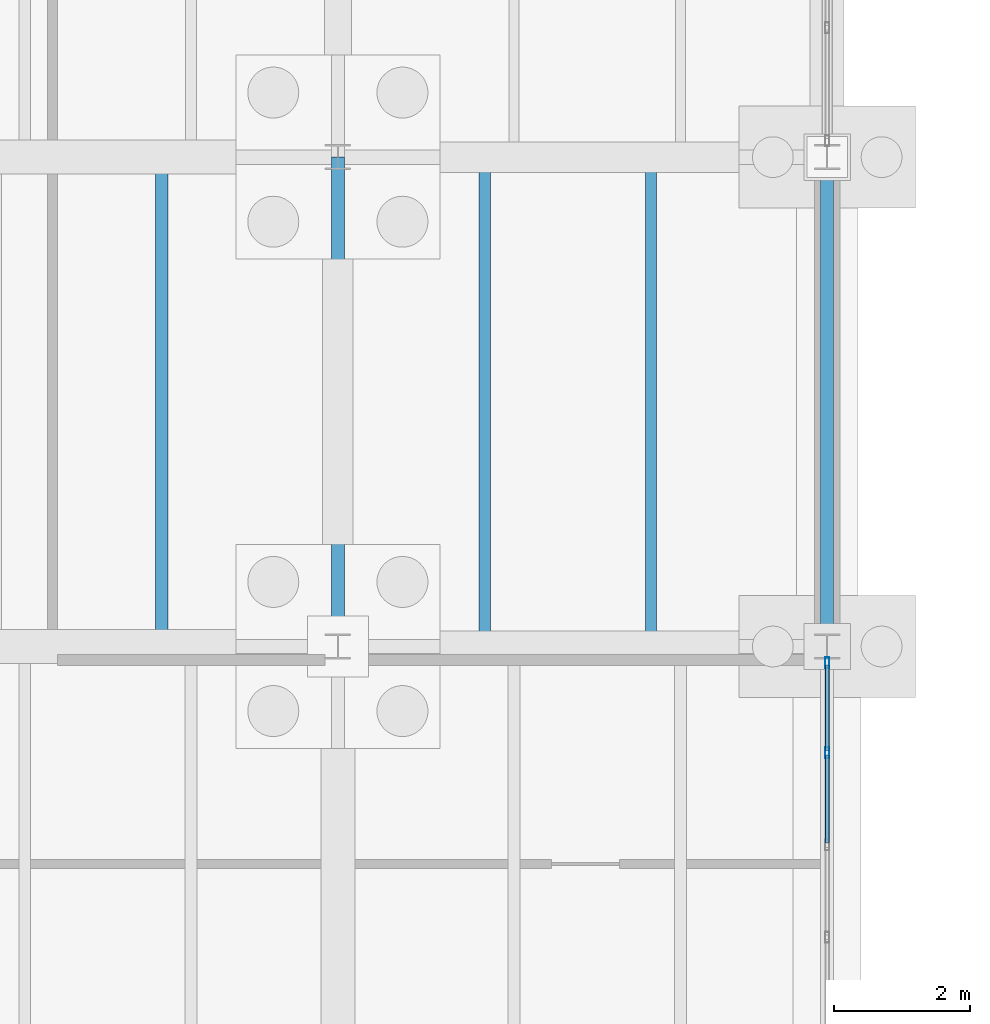
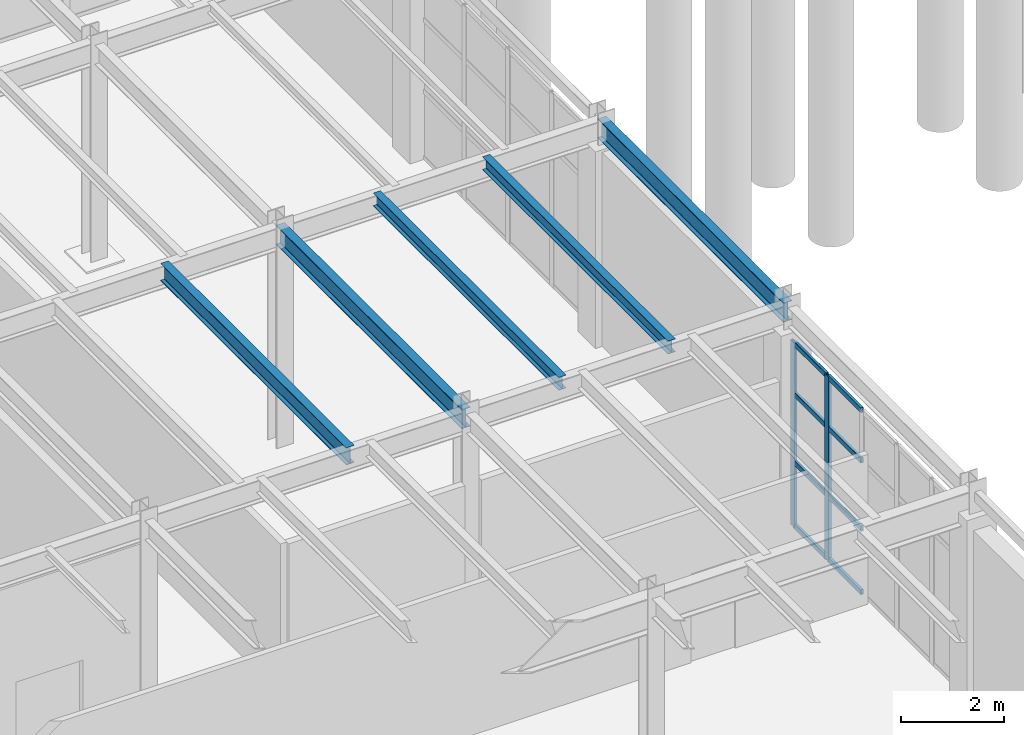
# One storey, part 70 of 293: 10 members, 5 beams, 1 element without a shape of its own.
"""IFC4 building model written with IfcOpenShell, lengths in metres."""

from ifc_helpers import new_model, si_unit, direction, frame, origin, origin_2d, place, context, subcontext, project, spatial, hollow_rectangle, i_section, extrude, material, layer, layer_set, material_profile, profile_set, type_object, element, aggregate, save


model = new_model("IFC4")

# Units and contexts
model_context = context("Model", 3, precision=1e-05, world=origin(), true_north=direction((0.0, 1.0)))
body_context = subcontext(model_context, "Body", "Model", "MODEL_VIEW")
ifc_project = project(units=[si_unit("LENGTHUNIT", "METRE"), si_unit("AREAUNIT", "SQUARE_METRE"), si_unit("VOLUMEUNIT", "CUBIC_METRE"), si_unit("PLANEANGLEUNIT", "RADIAN"), si_unit("MASSUNIT", "GRAM", prefix="KILO")], contexts=[model_context])

# Site, building, storey
site_placement = place(None, origin())
site = spatial("IfcSite", under=ifc_project, at=site_placement, CompositionType="ELEMENT")
building_placement = place(site_placement, origin())
building = spatial("IfcBuilding", under=site, at=building_placement, Name="Kemerveld Promenade Tramway Depot", CompositionType="ELEMENT")
storey_placement = place(building_placement, origin())
storey = spatial("IfcBuildingStorey", under=building, at=storey_placement, Name="L00", CompositionType="ELEMENT", Elevation=0.0)

# Beams
ifc_material_1 = material(Name="Steel S355", Category="steel")
ifc_material_profile_1 = material_profile(ifc_material_1, i_section(OverallWidth=0.19140625, OverallDepth=0.4599609375, WebThickness=0.010009765625, FlangeThickness=0.01611328125, FilletRadius=0.01025390625, at=origin_2d()), Name="457x191x82 UB")
ifc_profile_set_1 = profile_set([ifc_material_profile_1], Name="Steel S355")
beam_type_1 = type_object("IfcBeamType", Name="BM-G06", PredefinedType="BEAM", material=ifc_profile_set_1)
for number, where, z_axis, x_axis, name in (
    (1, (50.39990234375, 57.60009765625, 4.919921875), (0.0, 1.0, 0.0), (-1.0, 0.0, 0.0), "BMY-L00-08-J-K"),
    (2, (57.60009765625, 57.60009765625, 4.919921875), (0.0, 1.0, 0.0), (-1.0, 0.0, 0.0), "BMY-L00-09-J-K"),
):
    element("IfcBeam", number, at=place(storey_placement, frame(where, z_axis=z_axis, x_axis=x_axis)), inside=storey, type_object=beam_type_1, Name=name, PredefinedType="BEAM", context=body_context, shape_type="SweptSolid", body=[
        extrude(i_section(OverallWidth=0.19140625, OverallDepth=0.4599609375, WebThickness=0.010009765625, FlangeThickness=0.01611328125, FilletRadius=0.01025390625, at=origin_2d()), origin(), (0.0, 0.0, 1.0), 7.199951171875),
    ])
ifc_material_profile_2 = material_profile(ifc_material_1, i_section(OverallWidth=0.165771484375, OverallDepth=0.306640625, WebThickness=0.006591796875, FlangeThickness=0.01171875, FilletRadius=0.0087890625, at=origin_2d()), Name="305x165x46 UB")
ifc_profile_set_2 = profile_set([ifc_material_profile_2], Name="Steel S355")
beam_type_2 = type_object("IfcBeamType", Name="BM-J01", PredefinedType="JOIST", material=ifc_profile_set_2)
for number, where, z_axis, x_axis, name in (
    (3, (52.56005859375, 57.60009765625, 4.99658203125), (0.0, 1.0, 0.0), (-1.0, 0.0, 0.0), "JST-L00-08-J-1"),
    (4, (55.008056640625, 57.60009765625, 4.99658203125), (0.0, 1.0, 0.0), (-1.0, 0.0, 0.0), "JST-L00-08-J-2"),
):
    element("IfcBeam", number, at=place(storey_placement, frame(where, z_axis=z_axis, x_axis=x_axis)), inside=storey, type_object=beam_type_2, Name=name, PredefinedType="JOIST", context=body_context, shape_type="SweptSolid", body=[
        extrude(i_section(OverallWidth=0.165771484375, OverallDepth=0.306640625, WebThickness=0.006591796875, FlangeThickness=0.01171875, FilletRadius=0.0087890625, at=origin_2d()), origin(), (0.0, 0.0, 1.0), 7.199951171875),
    ])
ifc_material_profile_3 = material_profile(ifc_material_1, i_section(OverallWidth=0.1787109375, OverallDepth=0.409423828125, WebThickness=0.0087890625, FlangeThickness=0.014404296875, FilletRadius=0.01025390625, at=origin_2d()), Name="406x178x67 UB")
ifc_profile_set_3 = profile_set([ifc_material_profile_3], Name="Steel S355")
beam_type_3 = type_object("IfcBeamType", Name="BM-J05", PredefinedType="JOIST", material=ifc_profile_set_3)
beam_placement = place(storey_placement, frame((47.80810546875, 57.60009765625, 4.9453125), z_axis=(0.0, 1.0, 0.0), x_axis=(-1.0, 0.0, 0.0)))
element("IfcBeam", 5, at=beam_placement, inside=storey, type_object=beam_type_3, Name="JST-L00-07-J-2", PredefinedType="JOIST", context=body_context, shape_type="SweptSolid", body=[
    extrude(i_section(OverallWidth=0.1787109375, OverallDepth=0.409423828125, WebThickness=0.0087890625, FlangeThickness=0.014404296875, FilletRadius=0.01025390625, at=origin_2d()), origin(), (0.0, 0.0, 1.0), 7.199951171875),
])

# Curtain wall, members
ifc_material_2 = material(Name="Bronze anodised aluminium and solar glass", Category="aluminium")
ifc_layer = layer(ifc_material_2, 0.159912109375)
ifc_layer_set = layer_set([ifc_layer], Name="CW-SYS-07")
curtain_wall_type = type_object("IfcCurtainWallType", Name="CW-SYS-07", PredefinedType="USERDEFINED", material=ifc_layer_set)
curtain_wall_placement = place(storey_placement, origin())
curtain_wall = element("IfcCurtainWall", 6, at=curtain_wall_placement, inside=storey, type_object=curtain_wall_type, Name="CW-L00-V5E-04", ObjectType="GLAZED_CURTAIN_WALL", PredefinedType="USERDEFINED")
ifc_material_3 = material(Name="Bronze anodised aluminium", Category="aluminium")
ifc_material_profile_4 = material_profile(ifc_material_3, hollow_rectangle(XDim=0.06494140625, YDim=0.159912109375, WallThickness=0.00390625, InnerFilletRadius=0.001953125, OuterFilletRadius=0.00390625, at=origin_2d()), Name="CW-MUL-160x65")
ifc_profile_set_4 = profile_set([ifc_material_profile_4], Name="Bronze anodised aluminium")
member_type_1 = type_object("IfcMemberType", Name="CW-MUL-A", PredefinedType="MULLION", material=ifc_profile_set_4)
member_1_placement = place(storey_placement, frame((57.60009765625, 57.361083984375, 0.0), z_axis=(0.0, 0.0, 1.0), x_axis=(1.0, 0.0, 0.0)))
member_1 = element("IfcMember", 7, at=member_1_placement, type_object=member_type_1, Name="CW07 mullion 1", PredefinedType="MULLION", context=body_context, shape_type="SweptSolid", body=[
    extrude(hollow_rectangle(XDim=0.06494140625, YDim=0.159912109375, WallThickness=0.00390625, InnerFilletRadius=0.001953125, OuterFilletRadius=0.00390625, at=origin_2d()), origin(), (0.0, 0.0, 1.0), 4.367919921875),
])
member_2_placement = place(storey_placement, frame((57.60009765625, 56.0361328125, 0.0), z_axis=(0.0, 0.0, 1.0), x_axis=(1.0, 0.0, 0.0)))
member_2 = element("IfcMember", 8, at=member_2_placement, type_object=member_type_1, Name="CW07 mullion 2", PredefinedType="MULLION", context=body_context, shape_type="SweptSolid", body=[
    extrude(hollow_rectangle(XDim=0.06494140625, YDim=0.159912109375, WallThickness=0.00390625, InnerFilletRadius=0.001953125, OuterFilletRadius=0.00390625, at=origin_2d()), origin(), (0.0, 0.0, 1.0), 4.367919921875),
])
ifc_material_profile_5 = material_profile(ifc_material_3, hollow_rectangle(XDim=0.06005859375, YDim=0.1201171875, WallThickness=0.00390625, InnerFilletRadius=0.001953125, OuterFilletRadius=0.00390625, at=origin_2d()), Name="CW-TRN-120x60")
ifc_profile_set_5 = profile_set([ifc_material_profile_5], Name="Bronze anodised aluminium")
member_type_2 = type_object("IfcMemberType", Name="CW-TRN-A", PredefinedType="USERDEFINED", material=ifc_profile_set_5)
member_3_placement = place(storey_placement, frame((57.60009765625, 57.32861328125, 0.030029296875), z_axis=(0.0, -1.0, 0.0), x_axis=(1.0, 0.0, 0.0)))
member_3 = element("IfcMember", 9, at=member_3_placement, type_object=member_type_2, Name="CW07 transom 1.1", ObjectType="TRANSOM", PredefinedType="USERDEFINED", context=body_context, shape_type="SweptSolid", body=[
    extrude(hollow_rectangle(XDim=0.06005859375, YDim=0.1201171875, WallThickness=0.00390625, InnerFilletRadius=0.001953125, OuterFilletRadius=0.00390625, at=origin_2d()), origin(), (0.0, 0.0, 1.0), 1.260009765625),
])
member_4_placement = place(storey_placement, frame((57.60009765625, 57.32861328125, 1.529052734375), z_axis=(0.0, -1.0, 0.0), x_axis=(1.0, 0.0, 0.0)))
member_4 = element("IfcMember", 10, at=member_4_placement, type_object=member_type_2, Name="CW07 transom 1.2", ObjectType="TRANSOM", PredefinedType="USERDEFINED", context=body_context, shape_type="SweptSolid", body=[
    extrude(hollow_rectangle(XDim=0.06005859375, YDim=0.1201171875, WallThickness=0.00390625, InnerFilletRadius=0.001953125, OuterFilletRadius=0.00390625, at=origin_2d()), origin(), (0.0, 0.0, 1.0), 1.260009765625),
])
member_5_placement = place(storey_placement, frame((57.60009765625, 57.32861328125, 3.14501953125), z_axis=(0.0, -1.0, 0.0), x_axis=(1.0, 0.0, 0.0)))
member_5 = element("IfcMember", 11, at=member_5_placement, type_object=member_type_2, Name="CW07 transom 1.3", ObjectType="TRANSOM", PredefinedType="USERDEFINED", context=body_context, shape_type="SweptSolid", body=[
    extrude(hollow_rectangle(XDim=0.06005859375, YDim=0.1201171875, WallThickness=0.00390625, InnerFilletRadius=0.001953125, OuterFilletRadius=0.00390625, at=origin_2d()), origin(), (0.0, 0.0, 1.0), 1.260009765625),
])
member_6_placement = place(storey_placement, frame((57.60009765625, 57.32861328125, 4.337890625), z_axis=(0.0, -1.0, 0.0), x_axis=(1.0, 0.0, 0.0)))
member_6 = element("IfcMember", 12, at=member_6_placement, type_object=member_type_2, Name="CW07 transom 1.4", ObjectType="TRANSOM", PredefinedType="USERDEFINED", context=body_context, shape_type="SweptSolid", body=[
    extrude(hollow_rectangle(XDim=0.06005859375, YDim=0.1201171875, WallThickness=0.00390625, InnerFilletRadius=0.001953125, OuterFilletRadius=0.00390625, at=origin_2d()), origin(), (0.0, 0.0, 1.0), 1.260009765625),
])
member_7_placement = place(storey_placement, frame((57.60009765625, 56.003662109375, 0.030029296875), z_axis=(0.0, -1.0, 0.0), x_axis=(1.0, 0.0, 0.0)))
member_7 = element("IfcMember", 13, at=member_7_placement, type_object=member_type_2, Name="CW07 transom 2.1", ObjectType="TRANSOM", PredefinedType="USERDEFINED", context=body_context, shape_type="SweptSolid", body=[
    extrude(hollow_rectangle(XDim=0.06005859375, YDim=0.1201171875, WallThickness=0.00390625, InnerFilletRadius=0.001953125, OuterFilletRadius=0.00390625, at=origin_2d()), origin(), (0.0, 0.0, 1.0), 1.29248046875),
])
member_8_placement = place(storey_placement, frame((57.60009765625, 56.003662109375, 1.529052734375), z_axis=(0.0, -1.0, 0.0), x_axis=(1.0, 0.0, 0.0)))
member_8 = element("IfcMember", 14, at=member_8_placement, type_object=member_type_2, Name="CW07 transom 2.2", ObjectType="TRANSOM", PredefinedType="USERDEFINED", context=body_context, shape_type="SweptSolid", body=[
    extrude(hollow_rectangle(XDim=0.06005859375, YDim=0.1201171875, WallThickness=0.00390625, InnerFilletRadius=0.001953125, OuterFilletRadius=0.00390625, at=origin_2d()), origin(), (0.0, 0.0, 1.0), 1.29248046875),
])
member_9_placement = place(storey_placement, frame((57.60009765625, 56.003662109375, 3.14501953125), z_axis=(0.0, -1.0, 0.0), x_axis=(1.0, 0.0, 0.0)))
member_9 = element("IfcMember", 15, at=member_9_placement, type_object=member_type_2, Name="CW07 transom 2.3", ObjectType="TRANSOM", PredefinedType="USERDEFINED", context=body_context, shape_type="SweptSolid", body=[
    extrude(hollow_rectangle(XDim=0.06005859375, YDim=0.1201171875, WallThickness=0.00390625, InnerFilletRadius=0.001953125, OuterFilletRadius=0.00390625, at=origin_2d()), origin(), (0.0, 0.0, 1.0), 1.29248046875),
])
member_10_placement = place(storey_placement, frame((57.60009765625, 56.003662109375, 4.337890625), z_axis=(0.0, -1.0, 0.0), x_axis=(1.0, 0.0, 0.0)))
member_10 = element("IfcMember", 16, at=member_10_placement, type_object=member_type_2, Name="CW07 transom 2.4", ObjectType="TRANSOM", PredefinedType="USERDEFINED", context=body_context, shape_type="SweptSolid", body=[
    extrude(hollow_rectangle(XDim=0.06005859375, YDim=0.1201171875, WallThickness=0.00390625, InnerFilletRadius=0.001953125, OuterFilletRadius=0.00390625, at=origin_2d()), origin(), (0.0, 0.0, 1.0), 1.29248046875),
])
aggregate(curtain_wall, [member_1, member_2, member_3, member_4, member_5, member_6, member_7, member_8, member_9, member_10])

save(model, "model.ifc")
